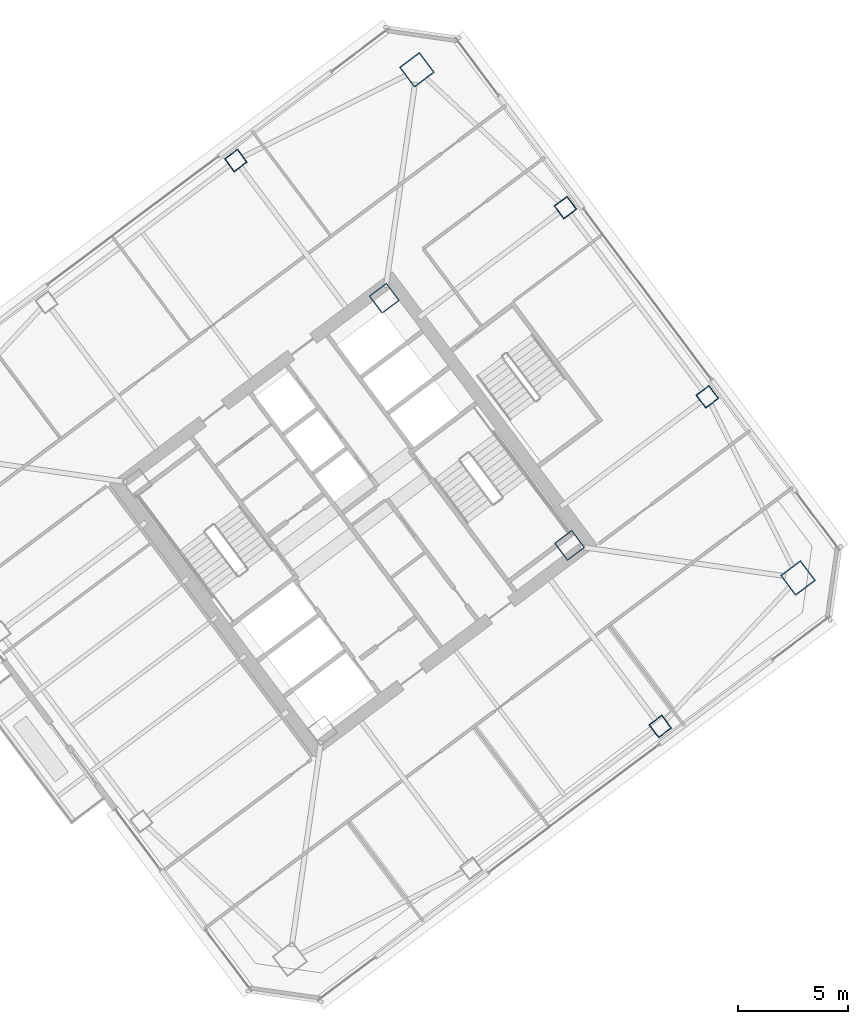
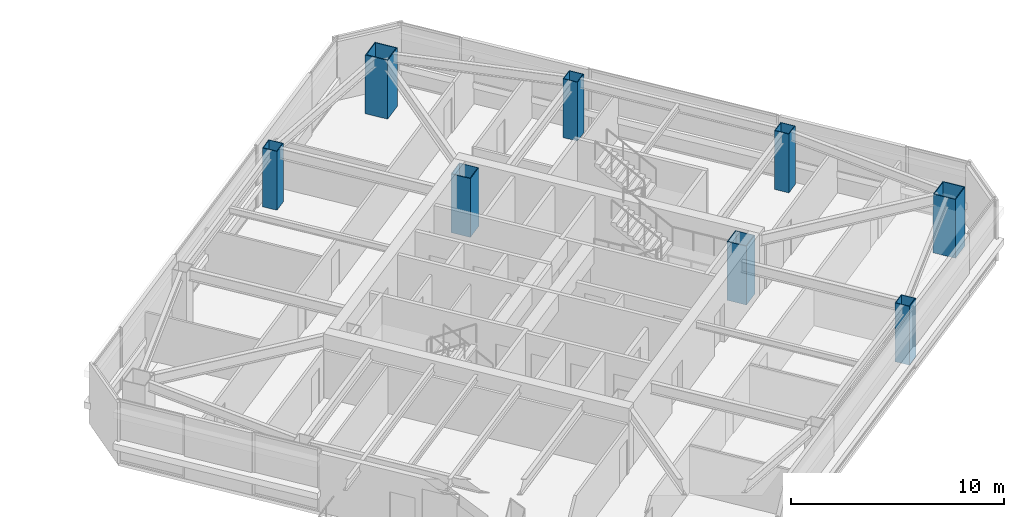
# One storey, part 2 of 41: 8 columns.
"""IFC4 building model written with IfcOpenShell, lengths in metres."""

from ifc_helpers import new_model, si_unit, direction, frame, origin, origin_2d, place, context, subcontext, project, spatial, hollow_rectangle, extrude, material, material_profile, profile_set, type_object, element, save


model = new_model("IFC4")

# Units and contexts
model_context = context("Model", 3, precision=1e-05, world=origin(), true_north=direction((0.0, 1.0)))
body_context = subcontext(model_context, "Body", "Model", "MODEL_VIEW")
ifc_project = project(units=[si_unit("LENGTHUNIT", "METRE"), si_unit("AREAUNIT", "SQUARE_METRE"), si_unit("VOLUMEUNIT", "CUBIC_METRE"), si_unit("PLANEANGLEUNIT", "RADIAN"), si_unit("MASSUNIT", "GRAM", prefix="KILO")], contexts=[model_context])

# Site, building, storey
site_placement = place(None, origin())
site = spatial("IfcSite", under=ifc_project, at=site_placement, CompositionType="ELEMENT")
building_placement = place(site_placement, origin())
building = spatial("IfcBuilding", under=site, at=building_placement, Name="Tashvorn Skyway Center", CompositionType="ELEMENT")
storey_placement = place(building_placement, frame((0.0, 0.0, 171.199951171875)))
storey = spatial("IfcBuildingStorey", under=building, at=storey_placement, Name="L46", CompositionType="ELEMENT", Elevation=171.199951171875)

# Columns
ifc_material = material(Name="Steel ASTM A572 Grade 50", Category="steel")
ifc_material_profile_1 = material_profile(ifc_material, hollow_rectangle(XDim=1.0, YDim=1.0, WallThickness=0.0400390625, at=origin_2d()), Name="BOX1000x1000x40")
ifc_profile_set_1 = profile_set([ifc_material_profile_1], Name="Steel ASTM A572 Grade 50")
column_type_1 = type_object("IfcColumnType", Name="COL-BOX1000x1000x40", PredefinedType="COLUMN", material=ifc_profile_set_1)
for number, where, z_axis, x_axis, name in (
    (1, (123.8701171875, 30.590087890625, 0.0), (0.0, 0.0, 1.0), (0.799999996291, 0.600000004945, 0.0), "Tower 2 L46 Core Corner Column CC-SE"),
    (2, (115.409912109375, 41.8701171875, 0.0), (0.0, 0.0, 1.0), (0.799999996291, 0.600000004945, 0.0), "Tower 2 L46 Core Corner Column CC-NE"),
):
    element("IfcColumn", number, at=place(storey_placement, frame(where, z_axis=z_axis, x_axis=x_axis)), inside=storey, type_object=column_type_1, Name=name, PredefinedType="COLUMN", context=body_context, shape_type="SweptSolid", body=[
        extrude(hollow_rectangle(XDim=1.0, YDim=1.0, WallThickness=0.0400390625, at=origin_2d()), origin(), (0.0, 0.0, 1.0), 3.3701171875),
    ])
ifc_material_profile_2 = material_profile(ifc_material, hollow_rectangle(XDim=1.14990234375, YDim=1.14990234375, WallThickness=0.044921875, at=origin_2d()), Name="BOX1150x1150x45")
ifc_profile_set_2 = profile_set([ifc_material_profile_2], Name="Steel ASTM A572 Grade 50")
column_type_2 = type_object("IfcColumnType", Name="COL-BOX1150x1150x45", PredefinedType="COLUMN", material=ifc_profile_set_2)
for number, where, z_axis, x_axis, name in (
    (3, (134.300048828125, 29.10009765625, 0.0), (0.0, 0.0, 1.0), (0.799999996291, 0.600000004945, 0.0), "Tower 2 L46 Mega-Column MC-SE"),
    (4, (116.89990234375, 52.300048828125, 0.0), (0.0, 0.0, 1.0), (0.799999996291, 0.600000004945, 0.0), "Tower 2 L46 Mega-Column MC-NE"),
):
    element("IfcColumn", number, at=place(storey_placement, frame(where, z_axis=z_axis, x_axis=x_axis)), inside=storey, type_object=column_type_2, Name=name, PredefinedType="COLUMN", context=body_context, shape_type="SweptSolid", body=[
        extrude(hollow_rectangle(XDim=1.14990234375, YDim=1.14990234375, WallThickness=0.044921875, at=origin_2d()), origin(), (0.0, 0.0, 1.0), 3.3701171875),
    ])
ifc_material_profile_3 = material_profile(ifc_material, hollow_rectangle(XDim=0.75, YDim=0.75, WallThickness=0.031982421875, at=origin_2d()), Name="BOX750x750x32")
ifc_profile_set_3 = profile_set([ifc_material_profile_3], Name="Steel ASTM A572 Grade 50")
column_type_3 = type_object("IfcColumnType", Name="COL-BOX750x750x32", PredefinedType="COLUMN", material=ifc_profile_set_3)
for number, where, z_axis, x_axis, name in (
    (5, (128.010009765625, 22.320068359375, 0.0), (0.0, 0.0, 1.0), (0.799999996291, 0.600000004945, 0.0), "Tower 2 L46 Perimeter Column FC-S2"),
    (6, (130.159912109375, 37.3701171875, 0.0), (0.0, 0.0, 1.0), (0.799999996291, 0.600000004945, 0.0), "Tower 2 L46 Perimeter Column FC-E1"),
    (7, (123.679931640625, 46.010009765625, 0.0), (0.0, 0.0, 1.0), (0.799999996291, 0.600000004945, 0.0), "Tower 2 L46 Perimeter Column FC-E2"),
    (8, (108.6298828125, 48.159912109375, 0.0), (0.0, 0.0, 1.0), (0.799999996291, 0.600000004945, 0.0), "Tower 2 L46 Perimeter Column FC-N1"),
):
    element("IfcColumn", number, at=place(storey_placement, frame(where, z_axis=z_axis, x_axis=x_axis)), inside=storey, type_object=column_type_3, Name=name, PredefinedType="COLUMN", context=body_context, shape_type="SweptSolid", body=[
        extrude(hollow_rectangle(XDim=0.75, YDim=0.75, WallThickness=0.031982421875, at=origin_2d()), origin(), (0.0, 0.0, 1.0), 3.3701171875),
    ])

save(model, "model.ifc")
